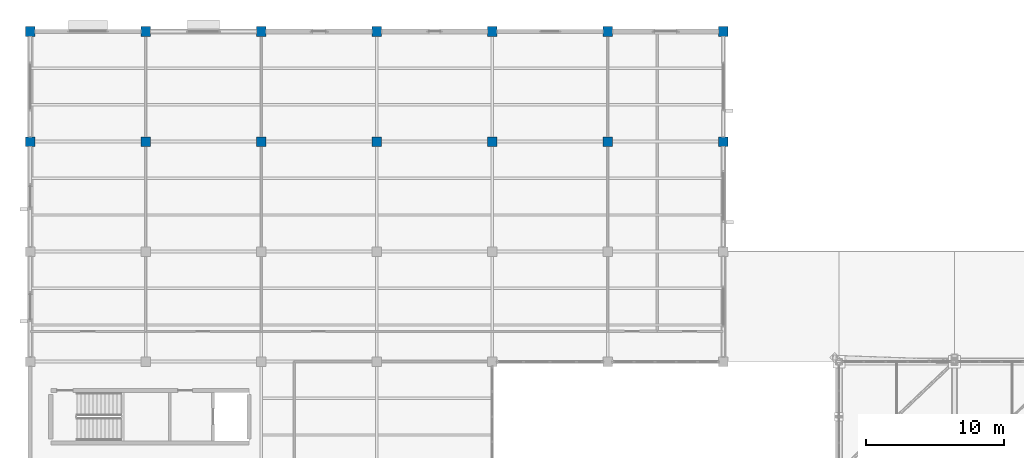
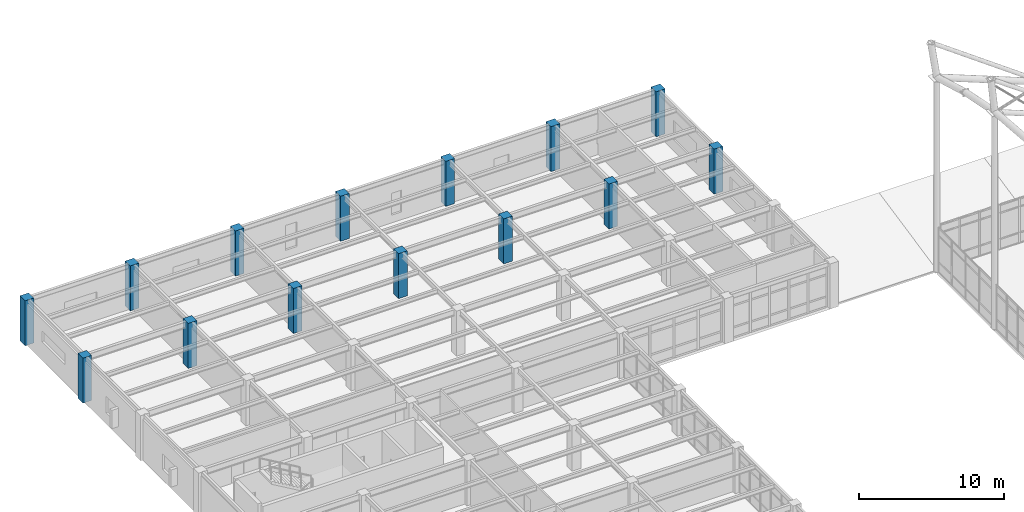
# One storey, part 12 of 138: 14 columns.
"""IFC4 building model written with IfcOpenShell, lengths in metres."""

from ifc_helpers import new_model, si_unit, direction, frame, origin, origin_2d, place, context, subcontext, project, spatial, rectangle, extrude, material, material_profile, profile_set, type_object, element, save


model = new_model("IFC4")

# Units and contexts
model_context = context("Model", 3, precision=1e-05, world=origin(), true_north=direction((0.0, 1.0)))
body_context = subcontext(model_context, "Body", "Model", "MODEL_VIEW")
ifc_project = project(units=[si_unit("LENGTHUNIT", "METRE"), si_unit("AREAUNIT", "SQUARE_METRE"), si_unit("VOLUMEUNIT", "CUBIC_METRE"), si_unit("PLANEANGLEUNIT", "RADIAN"), si_unit("MASSUNIT", "GRAM", prefix="KILO")], contexts=[model_context])

# Site, building, storey
site_placement = place(None, origin())
site = spatial("IfcSite", under=ifc_project, at=site_placement, CompositionType="ELEMENT")
building_placement = place(site_placement, origin())
building = spatial("IfcBuilding", under=site, at=building_placement, Name="Kranzveld Transit Interchange", CompositionType="ELEMENT")
storey_placement = place(building_placement, frame((0.0, 0.0, 5.43994140625)))
storey = spatial("IfcBuildingStorey", under=building, at=storey_placement, Name="L01", CompositionType="ELEMENT", Elevation=5.43994140625)

# Columns
ifc_material = material(Name="Concrete C35/45", Category="concrete")
ifc_material_profile = material_profile(ifc_material, rectangle(XDim=0.699951171875, YDim=0.699951171875, at=origin_2d()), Name="RC 700x700")
ifc_profile_set = profile_set([ifc_material_profile], Name="Concrete C35/45")
column_type = type_object("IfcColumnType", Name="Column RC 700x700 C35/45", PredefinedType="COLUMN", material=ifc_profile_set)
for number, where, z_axis, x_axis, name in (
    (1, (0.0, 104.0, 0.0), (0.0, 0.0, 1.0), (1.0, 0.0, 0.0), "L01 Column 01/P"),
    (2, (0.0, 112.0, 0.0), (0.0, 0.0, 1.0), (1.0, 0.0, 0.0), "L01 Column 01/Q"),
    (3, (8.39990234375, 104.0, 0.0), (0.0, 0.0, 1.0), (1.0, 0.0, 0.0), "L01 Column 02/P"),
    (4, (8.39990234375, 112.0, 0.0), (0.0, 0.0, 1.0), (1.0, 0.0, 0.0), "L01 Column 02/Q"),
    (5, (16.800048828125, 104.0, 0.0), (0.0, 0.0, 1.0), (1.0, 0.0, 0.0), "L01 Column 03/P"),
    (6, (16.800048828125, 112.0, 0.0), (0.0, 0.0, 1.0), (1.0, 0.0, 0.0), "L01 Column 03/Q"),
    (7, (25.199951171875, 104.0, 0.0), (0.0, 0.0, 1.0), (1.0, 0.0, 0.0), "L01 Column 04/P"),
    (8, (25.199951171875, 112.0, 0.0), (0.0, 0.0, 1.0), (1.0, 0.0, 0.0), "L01 Column 04/Q"),
    (9, (33.60009765625, 104.0, 0.0), (0.0, 0.0, 1.0), (1.0, 0.0, 0.0), "L01 Column 05/P"),
    (10, (33.60009765625, 112.0, 0.0), (0.0, 0.0, 1.0), (1.0, 0.0, 0.0), "L01 Column 05/Q"),
    (11, (42.0, 104.0, 0.0), (0.0, 0.0, 1.0), (1.0, 0.0, 0.0), "L01 Column 06/P"),
    (12, (42.0, 112.0, 0.0), (0.0, 0.0, 1.0), (1.0, 0.0, 0.0), "L01 Column 06/Q"),
    (13, (50.39990234375, 104.0, 0.0), (0.0, 0.0, 1.0), (1.0, 0.0, 0.0), "L01 Column 07/P"),
    (14, (50.39990234375, 112.0, 0.0), (0.0, 0.0, 1.0), (1.0, 0.0, 0.0), "L01 Column 07/Q"),
):
    element("IfcColumn", number, at=place(storey_placement, frame(where, z_axis=z_axis, x_axis=x_axis)), inside=storey, type_object=column_type, Name=name, PredefinedType="COLUMN", context=body_context, shape_type="SweptSolid", body=[
        extrude(rectangle(XDim=0.699951171875, YDim=0.699951171875, at=origin_2d()), origin(), (0.0, 0.0, 1.0), 3.800048828125),
    ])

save(model, "model.ifc")
